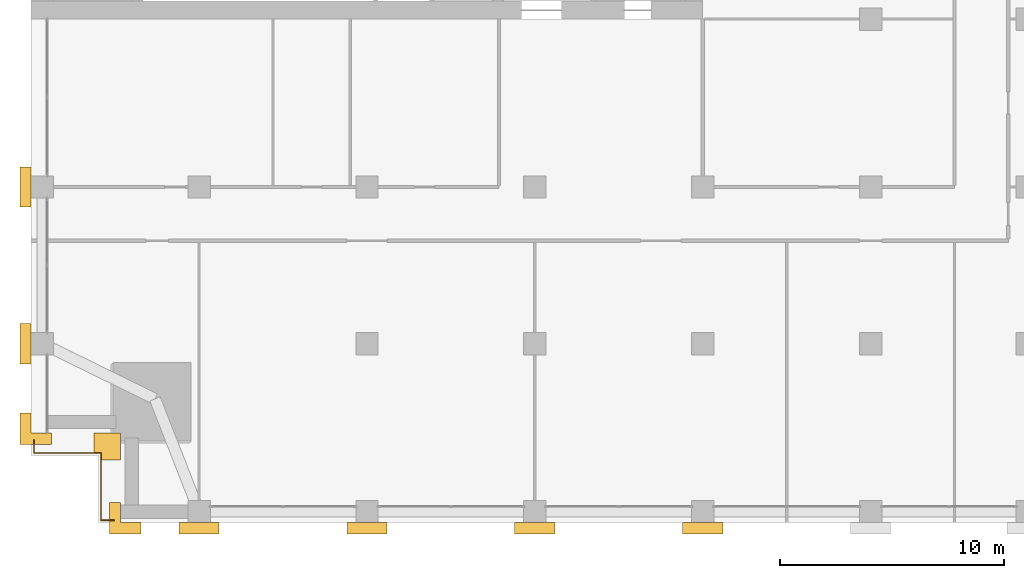
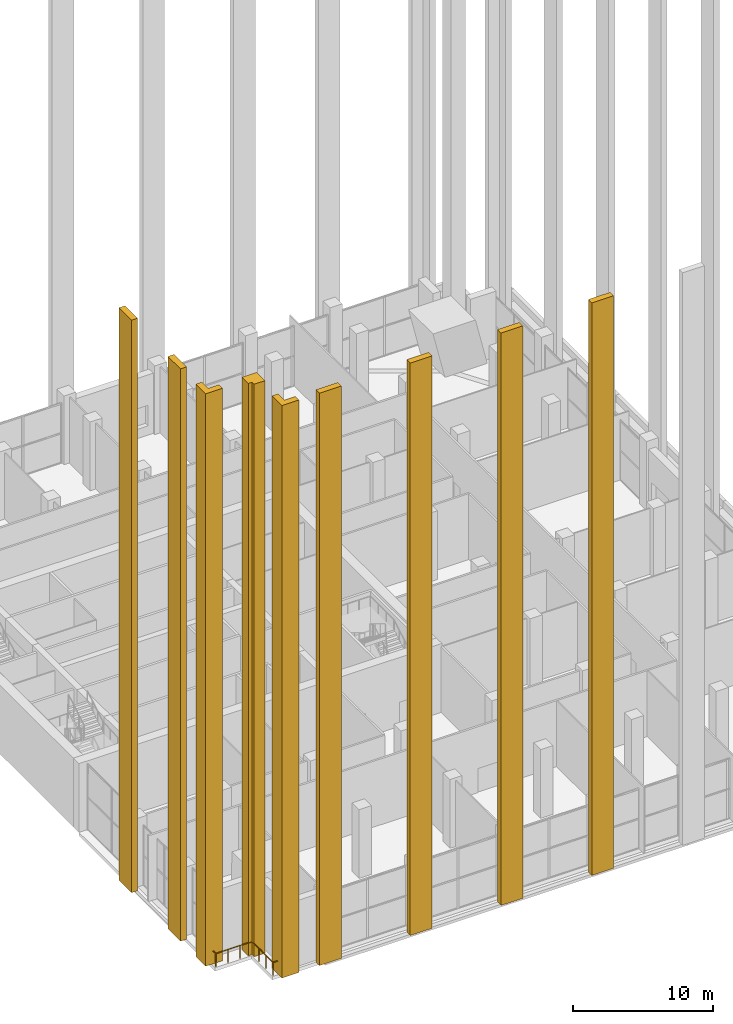
# One storey, part 20 of 23: 9 coverings, 2 railings.
"""IFC4 building model written with IfcOpenShell, lengths in metres."""

import ifcopenshell
import ifcopenshell.guid

model = None  # the IFC model being written
_history = None  # IfcOwnerHistory: only IFC2X3 demands one
_inside = {}  # id of a spatial element -> (the spatial element, [elements in it])
_under = {}  # id of a project, library or spatial element -> (it, [spatial elements below it])
_declared = {}  # id of a project -> (the project, [libraries it declares])
_typed = {}  # id of a type object -> (the type object, [elements of that type])
_made_of = {}  # id of a material, layer set ... -> (it, [elements and type objects made of it])


def new_model(schema):
    """Start an empty IFC model of exactly this schema.

    Asked for "IFC4X3", IfcOpenShell would pick the latest addendum, in which some entities
    have other attributes; the version numbers below select the first issue.
    IFC2X3 requires an IfcOwnerHistory on every rooted entity: one is made here for all.
    """
    global model, _history
    if schema == "IFC4X3":
        model = ifcopenshell.file(schema_version=(4, 3, 0, 0))
    else:
        model = ifcopenshell.file(schema=schema)
    _inside.clear()
    _under.clear()
    _declared.clear()
    _typed.clear()
    _made_of.clear()
    _history = None
    if model.schema == "IFC2X3":
        org = make("IfcOrganization", Name="unknown")
        user = make(
            "IfcPersonAndOrganization",
            ThePerson=make("IfcPerson", FamilyName="unknown"),
            TheOrganization=org,
        )
        app = make(
            "IfcApplication",
            ApplicationDeveloper=org,
            Version="unknown",
            ApplicationFullName="unknown",
            ApplicationIdentifier="unknown",
        )
        _history = make(
            "IfcOwnerHistory",
            OwningUser=user,
            OwningApplication=app,
            ChangeAction="ADDED",
            CreationDate=0,
        )
    return model


def make(cls, **values):
    """One entity of the class cls with the attributes given. An attribute that is None is left unset."""
    return model.create_entity(
        cls, **{name: value for name, value in values.items() if value is not None}
    )


def rooted(cls, **values):
    """An entity with a GlobalId (a new one), such as an element, a storey or a relation."""
    return make(cls, GlobalId=ifcopenshell.guid.new(), OwnerHistory=_history, **values)


def si_unit(unit_type, name, prefix=None):
    """IfcSIUnit, for example si_unit("LENGTHUNIT", "METRE", prefix="MILLI")."""
    return make("IfcSIUnit", UnitType=unit_type, Prefix=prefix, Name=name)


def assignment(units):
    """IfcUnitAssignment: the units of a project."""
    return None if units is None else make("IfcUnitAssignment", Units=units)


def point(xyz):
    """IfcCartesianPoint."""
    return None if xyz is None else make("IfcCartesianPoint", Coordinates=xyz)


def direction(xyz):
    """IfcDirection."""
    return None if xyz is None else make("IfcDirection", DirectionRatios=xyz)


def frame(location, z_axis=None, x_axis=None):
    """IfcAxis2Placement3D, a coordinate frame: its origin and axes. An axis left out is left unset."""
    return make(
        "IfcAxis2Placement3D",
        Location=point(location),
        Axis=direction(z_axis),
        RefDirection=direction(x_axis),
    )


def frame_2d(location, x_axis=None):
    """IfcAxis2Placement2D, a coordinate frame in the plane: its origin and x axis."""
    return make(
        "IfcAxis2Placement2D", Location=point(location), RefDirection=direction(x_axis)
    )


def origin():
    """The frame at (0, 0, 0) with its axes left unset."""
    return frame((0.0, 0.0, 0.0))


def origin_2d():
    """The frame at (0, 0) in the plane with its x axis left unset."""
    return frame_2d((0.0, 0.0))


def place(relative_to, where):
    """IfcLocalPlacement: puts the frame where relative to a parent placement (None: the world)."""
    return make(
        "IfcLocalPlacement", PlacementRelTo=relative_to, RelativePlacement=where
    )


def context(
    kind, dimensions, precision=None, world=None, true_north=None, identifier=None
):
    """IfcGeometricRepresentationContext, for example the 3D "Model" context."""
    return make(
        "IfcGeometricRepresentationContext",
        ContextIdentifier=identifier,
        ContextType=kind,
        CoordinateSpaceDimension=dimensions,
        Precision=precision,
        WorldCoordinateSystem=world,
        TrueNorth=true_north,
    )


def subcontext(parent, identifier, kind, view, scale=None):
    """IfcGeometricRepresentationSubContext, for example "Body" below "Model"."""
    return make(
        "IfcGeometricRepresentationSubContext",
        ContextIdentifier=identifier,
        ContextType=kind,
        ParentContext=parent,
        TargetScale=scale,
        TargetView=view,
    )


def project(units=None, contexts=None):
    """IfcProject with its units and contexts."""
    return rooted(
        "IfcProject",
        Name="project",
        RepresentationContexts=contexts,
        UnitsInContext=assignment(units),
    )


def spatial(cls, under=None, at=None, **own):
    """A site, building, storey or space (cls), placed at a placement, below another one or the project."""
    s = rooted(cls, ObjectPlacement=at, **own)
    if under is not None:
        _under.setdefault(under.id(), (under, []))[1].append(s)
    return s


def polyline(points):
    """IfcPolyline through the points."""
    return make("IfcPolyline", Points=[point(p) for p in points])


def profile(cls, at=None, kind="AREA", **sizes):
    """A parametric profile (cls). Its sizes go by their IFC names, for example OverallWidth=200.0."""
    return make(cls, ProfileType=kind, Position=at, **sizes)


def circle(**sizes):
    """IfcCircleProfileDef."""
    return profile("IfcCircleProfileDef", **sizes)


def outline(outer, holes=None, kind="AREA"):
    """IfcArbitraryClosedProfileDef: a profile drawn as a closed curve; with holes, ...WithVoids."""
    if holes is None:
        return make("IfcArbitraryClosedProfileDef", ProfileType=kind, OuterCurve=outer)
    return make(
        "IfcArbitraryProfileDefWithVoids",
        ProfileType=kind,
        OuterCurve=outer,
        InnerCurves=holes,
    )


def extrude(swept, where, along, depth):
    """IfcExtrudedAreaSolid: the profile swept, set in the frame where, extruded along a direction by depth."""
    return make(
        "IfcExtrudedAreaSolid",
        SweptArea=swept,
        Position=where,
        ExtrudedDirection=direction(along),
        Depth=depth,
    )


def shape(context_of_items, identifier, shape_type, items):
    """IfcShapeRepresentation: the items that make up one representation, for example the "Body"."""
    return make(
        "IfcShapeRepresentation",
        ContextOfItems=context_of_items,
        RepresentationIdentifier=identifier,
        RepresentationType=shape_type,
        Items=items,
    )


def material(Name=None, Category=None):
    """IfcMaterial."""
    return make("IfcMaterial", Name=Name, Category=Category)


def layer(
    of_material, thickness, ventilated=None, Name=None, Category=None, Priority=None
):
    """IfcMaterialLayer: one layer of a wall or slab, of a material (None: an air gap)."""
    return make(
        "IfcMaterialLayer",
        Material=of_material,
        LayerThickness=thickness,
        IsVentilated=ventilated,
        Name=Name,
        Category=Category,
        Priority=Priority,
    )


def layer_set(layers, Name=None):
    """IfcMaterialLayerSet."""
    return make("IfcMaterialLayerSet", MaterialLayers=layers, LayerSetName=Name)


def made_of(thing, what):
    """Note that an element or type object is made of a material, layer set ...; save() writes the relation."""
    if what is not None:
        _made_of.setdefault(what.id(), (what, []))[1].append(thing)
    return thing


def type_object(cls, material=None, **own):
    """A type object (cls), such as IfcWallType, which elements share."""
    return made_of(rooted(cls, **own), material)


def element(
    cls,
    number,
    at=None,
    inside=None,
    cuts=None,
    type_object=None,
    material=None,
    context=None,
    identifier="Body",
    shape_type=None,
    held_by="IfcProductDefinitionShape",
    body=None,
    shapes=None,
    **own,
):
    """One element of the class cls, such as IfcWall. Its Tag is "e" and its number.

    at: its placement. inside: the storey or other place that contains it. cuts: it is an
    opening in that element (IfcRelVoidsElement). A single representation is given by context,
    identifier, shape_type and body (its items); several are given by shapes. held_by: the class
    of the entity that holds the representations. save() writes the other relations.
    """
    e = rooted(cls, Tag="e%d" % number, ObjectPlacement=at, **own)
    if body is not None:
        shapes = [shape(context, identifier, shape_type, body)]
    if shapes is not None:
        e.Representation = make(held_by, Representations=shapes)
    if inside is not None:
        _inside.setdefault(inside.id(), (inside, []))[1].append(e)
    if cuts is not None:
        rooted(
            "IfcRelVoidsElement", RelatingBuildingElement=cuts, RelatedOpeningElement=e
        )
    if type_object is not None:
        _typed.setdefault(type_object.id(), (type_object, []))[1].append(e)
    return made_of(e, material)


def aggregate(whole, parts):
    """IfcRelAggregates: a whole, such as a stair, and the parts it consists of."""
    return rooted("IfcRelAggregates", RelatingObject=whole, RelatedObjects=parts)


def save(model, path):
    """Write the relations noted so far, then the file.

    IfcRelAggregates (storeys below a building ...), IfcRelContainedInSpatialStructure (elements
    in a storey), IfcRelDefinesByType, IfcRelAssociatesMaterial and IfcRelDeclares: one each for
    every whole, place, type object, material and project.
    """
    for whole, parts in _under.values():
        aggregate(whole, parts)
    for where, things in _inside.values():
        rooted(
            "IfcRelContainedInSpatialStructure",
            RelatedElements=things,
            RelatingStructure=where,
        )
    for kind, things in _typed.values():
        rooted("IfcRelDefinesByType", RelatedObjects=things, RelatingType=kind)
    for what, things in _made_of.values():
        rooted("IfcRelAssociatesMaterial", RelatedObjects=things, RelatingMaterial=what)
    for by, libraries in _declared.values():
        rooted("IfcRelDeclares", RelatingContext=by, RelatedDefinitions=libraries)
    model.write(path)


model = new_model("IFC4")

# Units and contexts
model_context = context("Model", 3, precision=1e-05, world=origin(), true_north=direction((0.0, 1.0)))
body_context = subcontext(model_context, "Body", "Model", "MODEL_VIEW")
ifc_project = project(units=[si_unit("LENGTHUNIT", "METRE"), si_unit("AREAUNIT", "SQUARE_METRE"), si_unit("VOLUMEUNIT", "CUBIC_METRE"), si_unit("PLANEANGLEUNIT", "RADIAN"), si_unit("MASSUNIT", "GRAM", prefix="KILO")], contexts=[model_context])

# Site, building, storey
site_placement = place(None, origin())
site = spatial("IfcSite", under=ifc_project, at=site_placement, CompositionType="ELEMENT")
building_placement = place(site_placement, origin())
building = spatial("IfcBuilding", under=site, at=building_placement, Name="Tamorin Gate", CompositionType="ELEMENT")
storey_placement = place(building_placement, frame((0.0, 0.0, 124.199951171875)))
storey = spatial("IfcBuildingStorey", under=building, at=storey_placement, Name="L30", CompositionType="ELEMENT", Elevation=124.199951171875)

# Coverings
ifc_material_1 = material(Name="Precast concrete C40/50", Category="concrete")
ifc_layer_1 = layer(ifc_material_1, 0.5)
ifc_layer_set_1 = layer_set([ifc_layer_1], Name="Corner pier cladding 500")
covering_type_1 = type_object("IfcCoveringType", Name="Corner pier cladding 500", PredefinedType="CLADDING", material=ifc_layer_set_1)
covering_1_placement = place(storey_placement, origin())
element("IfcCovering", 1, at=covering_1_placement, inside=storey, type_object=covering_type_1, Name="Corner pier", PredefinedType="CLADDING", context=body_context, shape_type="SweptSolid", body=[
    extrude(outline(polyline([(33.5, 37.0), (33.5, 38.39990234375), (34.0, 38.39990234375), (34.0, 37.5), (34.89990234375, 37.5), (34.89990234375, 37.0), (33.5, 37.0)])), origin(), (0.0, 0.0, 1.0), 50.0),
])
covering_2_placement = place(storey_placement, origin())
element("IfcCovering", 2, at=covering_2_placement, inside=storey, type_object=covering_type_1, Name="Corner pier", PredefinedType="CLADDING", context=body_context, shape_type="SweptSolid", body=[
    extrude(outline(polyline([(29.5, 41.0), (29.5, 42.39990234375), (30.0, 42.39990234375), (30.0, 41.5), (30.89990234375, 41.5), (30.89990234375, 41.0), (29.5, 41.0)])), origin(), (0.0, 0.0, 1.0), 50.0),
])
ifc_layer_2 = layer(ifc_material_1, 0.89990234375)
ifc_layer_set_2 = layer_set([ifc_layer_2], Name="Corner pier cladding 900")
covering_type_2 = type_object("IfcCoveringType", Name="Corner pier cladding 900", PredefinedType="CLADDING", material=ifc_layer_set_2)
covering_3_placement = place(storey_placement, origin())
element("IfcCovering", 3, at=covering_3_placement, inside=storey, type_object=covering_type_2, Name="Corner pier", PredefinedType="CLADDING", context=body_context, shape_type="SweptSolid", body=[
    extrude(outline(polyline([(32.800048828125, 40.60009765625), (32.800048828125, 41.5), (34.0, 41.5), (34.0, 40.300048828125), (33.10009765625, 40.300048828125), (33.10009765625, 40.60009765625), (32.800048828125, 40.60009765625)])), origin(), (0.0, 0.0, 1.0), 50.0),
])
ifc_layer_3 = layer(ifc_material_1, 0.5)
ifc_layer_set_3 = layer_set([ifc_layer_3], Name="Precast concrete C40/50")
covering_type_3 = type_object("IfcCoveringType", Name="Precast pier 1800x500", PredefinedType="CLADDING", material=ifc_layer_set_3)
covering_4_placement = place(storey_placement, origin())
element("IfcCovering", 4, at=covering_4_placement, inside=storey, type_object=covering_type_3, Name="Precast pier", PredefinedType="CLADDING", context=body_context, shape_type="SweptSolid", body=[
    extrude(outline(polyline([(30.0, 46.39990234375), (30.0, 44.60009765625), (29.5, 44.60009765625), (29.5, 46.39990234375), (30.0, 46.39990234375)])), origin(), (0.0, 0.0, 1.0), 50.0),
])
covering_5_placement = place(storey_placement, origin())
element("IfcCovering", 5, at=covering_5_placement, inside=storey, type_object=covering_type_3, Name="Precast pier", PredefinedType="CLADDING", context=body_context, shape_type="SweptSolid", body=[
    extrude(outline(polyline([(30.0, 53.39990234375), (30.0, 51.60009765625), (29.5, 51.60009765625), (29.5, 53.39990234375), (30.0, 53.39990234375)])), origin(), (0.0, 0.0, 1.0), 50.0),
])
covering_6_placement = place(storey_placement, origin())
element("IfcCovering", 6, at=covering_6_placement, inside=storey, type_object=covering_type_3, Name="Precast pier", PredefinedType="CLADDING", context=body_context, shape_type="SweptSolid", body=[
    extrude(outline(polyline([(36.60009765625, 37.5), (38.39990234375, 37.5), (38.39990234375, 37.0), (36.60009765625, 37.0), (36.60009765625, 37.5)])), origin(), (0.0, 0.0, 1.0), 50.0),
])
covering_7_placement = place(storey_placement, origin())
element("IfcCovering", 7, at=covering_7_placement, inside=storey, type_object=covering_type_3, Name="Precast pier", PredefinedType="CLADDING", context=body_context, shape_type="SweptSolid", body=[
    extrude(outline(polyline([(44.10009765625, 37.5), (45.89990234375, 37.5), (45.89990234375, 37.0), (44.10009765625, 37.0), (44.10009765625, 37.5)])), origin(), (0.0, 0.0, 1.0), 50.0),
])
covering_8_placement = place(storey_placement, origin())
element("IfcCovering", 8, at=covering_8_placement, inside=storey, type_object=covering_type_3, Name="Precast pier", PredefinedType="CLADDING", context=body_context, shape_type="SweptSolid", body=[
    extrude(outline(polyline([(51.60009765625, 37.5), (53.39990234375, 37.5), (53.39990234375, 37.0), (51.60009765625, 37.0), (51.60009765625, 37.5)])), origin(), (0.0, 0.0, 1.0), 50.0),
])
covering_9_placement = place(storey_placement, origin())
element("IfcCovering", 9, at=covering_9_placement, inside=storey, type_object=covering_type_3, Name="Precast pier", PredefinedType="CLADDING", context=body_context, shape_type="SweptSolid", body=[
    extrude(outline(polyline([(59.10009765625, 37.5), (60.89990234375, 37.5), (60.89990234375, 37.0), (59.10009765625, 37.0), (59.10009765625, 37.5)])), origin(), (0.0, 0.0, 1.0), 50.0),
])

# Railings
ifc_material_2 = material(Name="Stainless steel", Category="steel")
railing_type = type_object("IfcRailingType", Name="Terrace guard 1150", PredefinedType="GUARDRAIL", material=ifc_material_2)
railing_1_placement = place(storey_placement, frame((33.1201171875, 37.6201171875, 0.0)))
element("IfcRailing", 10, at=railing_1_placement, inside=storey, type_object=railing_type, Name="Deck edge guard", PredefinedType="GUARDRAIL", context=body_context, shape_type="SweptSolid", body=[
    extrude(circle(Radius=0.02392578125, at=origin_2d()), frame((0.0, 0.0, 1.1259765625), z_axis=(0.0, 1.0, 0.0), x_axis=(-1.0, 0.0, 0.0)), (0.0, 0.0, 1.0), 3.0),
    extrude(circle(Radius=0.02392578125, at=origin_2d()), frame((0.0, 3.0, 1.1259765625), z_axis=(-1.0, 0.0, 0.0), x_axis=(0.0, -1.0, 0.0)), (0.0, 0.0, 1.0), 3.0),
    extrude(circle(Radius=0.02392578125, at=origin_2d()), frame((-3.0, 3.0, 1.1259765625), z_axis=(0.0, 1.0, 0.0), x_axis=(-1.0, 0.0, 0.0)), (0.0, 0.0, 1.0), 0.579833984375),
    extrude(circle(Radius=0.02099609375, at=origin_2d()), origin(), (0.0, 0.0, 1.0), 1.101806640625),
    extrude(circle(Radius=0.02099609375, at=origin_2d()), frame((0.0, 1.0, 0.0)), (0.0, 0.0, 1.0), 1.101806640625),
    extrude(circle(Radius=0.02099609375, at=origin_2d()), frame((0.0, 2.0, 0.0)), (0.0, 0.0, 1.0), 1.101806640625),
    extrude(circle(Radius=0.02099609375, at=origin_2d()), frame((0.0, 3.0, 0.0)), (0.0, 0.0, 1.0), 1.101806640625),
    extrude(circle(Radius=0.02099609375, at=origin_2d()), frame((-1.0, 3.0, 0.0)), (0.0, 0.0, 1.0), 1.101806640625),
    extrude(circle(Radius=0.02099609375, at=origin_2d()), frame((-2.0, 3.0, 0.0)), (0.0, 0.0, 1.0), 1.101806640625),
    extrude(circle(Radius=0.02099609375, at=origin_2d()), frame((-3.0, 3.0, 0.0)), (0.0, 0.0, 1.0), 1.101806640625),
    extrude(circle(Radius=0.02099609375, at=origin_2d()), frame((-3.0, 3.579833984375, 0.0)), (0.0, 0.0, 1.0), 1.101806640625),
])
railing_2_placement = place(storey_placement, frame((33.699951171875, 37.6201171875, 0.0)))
element("IfcRailing", 11, at=railing_2_placement, inside=storey, type_object=railing_type, Name="Deck edge guard", PredefinedType="GUARDRAIL", context=body_context, shape_type="SweptSolid", body=[
    extrude(circle(Radius=0.02392578125, at=origin_2d()), frame((0.0, 0.0, 1.1259765625), z_axis=(-1.0, 0.0, 0.0), x_axis=(0.0, -1.0, 0.0)), (0.0, 0.0, 1.0), 0.579833984375),
    extrude(circle(Radius=0.02099609375, at=origin_2d()), origin(), (0.0, 0.0, 1.0), 1.101806640625),
    extrude(circle(Radius=0.02099609375, at=origin_2d()), frame((-0.579833984375, 0.0, 0.0)), (0.0, 0.0, 1.0), 1.101806640625),
])

save(model, "model.ifc")
